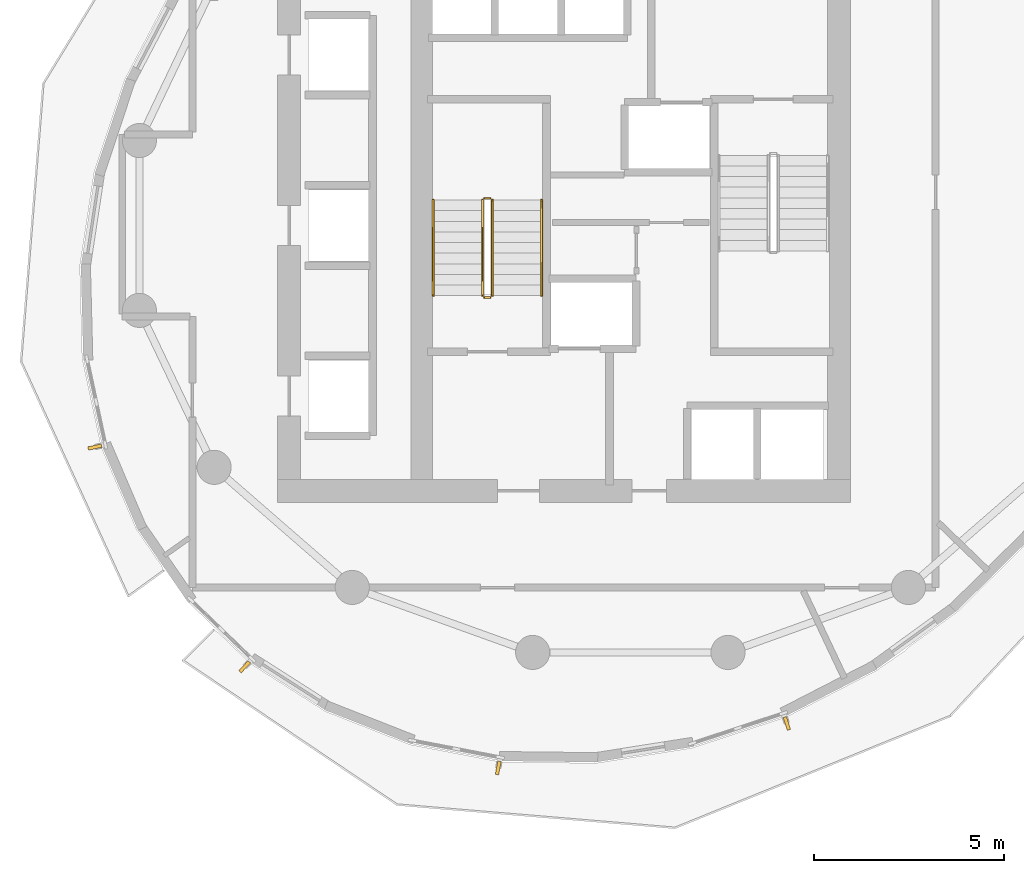
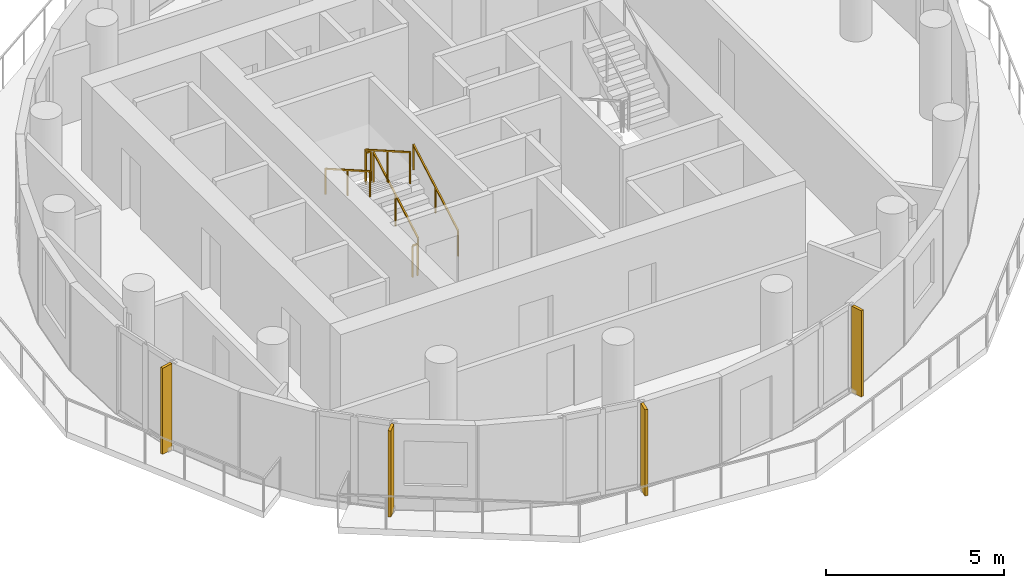
# One storey, part 6 of 9: 6 railings, 4 shading devices.
"""IFC4 building model written with IfcOpenShell, lengths in metres."""

from ifc_helpers import new_model, si_unit, direction, frame, origin, origin_2d, place, context, subcontext, project, spatial, rectangle, extrude, material, layer, layer_set, type_object, element, save


model = new_model("IFC4")

# Units and contexts
model_context = context("Model", 3, precision=1e-05, world=origin(), true_north=direction((0.0, 1.0)))
body_context = subcontext(model_context, "Body", "Model", "MODEL_VIEW")
ifc_project = project(units=[si_unit("LENGTHUNIT", "METRE"), si_unit("AREAUNIT", "SQUARE_METRE"), si_unit("VOLUMEUNIT", "CUBIC_METRE"), si_unit("PLANEANGLEUNIT", "RADIAN"), si_unit("MASSUNIT", "GRAM", prefix="KILO")], contexts=[model_context])

# Site, building, storey
site_placement = place(None, origin())
site = spatial("IfcSite", under=ifc_project, at=site_placement, CompositionType="ELEMENT")
building_placement = place(site_placement, origin())
building = spatial("IfcBuilding", under=site, at=building_placement, Name="Veldorim Arch Residences", CompositionType="ELEMENT")
storey_placement = place(building_placement, frame((0.0, 0.0, 163.0400390625)))
storey = spatial("IfcBuildingStorey", under=building, at=storey_placement, Name="L48", CompositionType="ELEMENT", Elevation=163.0400390625)

# Railings
ifc_material_1 = material(Name="Steel S355", Category="steel")
railing_type_1 = type_object("IfcRailingType", Name="Galvanised Steel Stair Safety Guardrail 1100", PredefinedType="GUARDRAIL", material=ifc_material_1)
railing_1_placement = place(storey_placement, frame((28.360107421875, 22.14990234375, 0.159912109375)))
element("IfcRailing", 1, at=railing_1_placement, inside=storey, type_object=railing_type_1, Name="L48 ST-1 stair guard 1", PredefinedType="GUARDRAIL", context=body_context, shape_type="SweptSolid", body=[
    extrude(rectangle(XDim=0.048095703125, YDim=0.048095703125, at=origin_2d()), frame((0.0, 0.0, 1.076171875), z_axis=(0.0, 0.868253494771, 0.496120820787), x_axis=(-1.0, 0.0, 0.0)), (0.0, 0.0, 1.0), 2.90234375),
    extrude(rectangle(XDim=0.0419921875, YDim=0.0419921875, at=origin_2d()), origin(), (0.0, 0.0, 1.0), 1.052001953125),
    extrude(rectangle(XDim=0.0419921875, YDim=0.0419921875, at=origin_2d()), frame((0.0, 1.260009765625, 0.719970703125)), (0.0, 0.0, 1.0), 1.052001953125),
    extrude(rectangle(XDim=0.0419921875, YDim=0.0419921875, at=origin_2d()), frame((0.0, 2.52001953125, 1.43994140625)), (0.0, 0.0, 1.0), 1.052001953125),
])
railing_2_placement = place(storey_placement, frame((28.31005859375, 24.719970703125, 1.599853515625)))
element("IfcRailing", 2, at=railing_2_placement, inside=storey, type_object=railing_type_1, Name="L48 ST-1 stair guard 2", PredefinedType="GUARDRAIL", context=body_context, shape_type="SweptSolid", body=[
    extrude(rectangle(XDim=0.048095703125, YDim=0.048095703125, at=origin_2d()), frame((0.0, 0.0, 1.076171875), z_axis=(-1.0, 0.0, 0.0), x_axis=(0.0, -1.0, 0.0)), (0.0, 0.0, 1.0), 0.16015625),
    extrude(rectangle(XDim=0.0419921875, YDim=0.0419921875, at=origin_2d()), origin(), (0.0, 0.0, 1.0), 1.052001953125),
    extrude(rectangle(XDim=0.0419921875, YDim=0.0419921875, at=origin_2d()), frame((-0.16015625, 0.0, 0.0)), (0.0, 0.0, 1.0), 1.052001953125),
])
railing_3_placement = place(storey_placement, frame((28.10009765625, 24.669921875, 1.760009765625)))
element("IfcRailing", 3, at=railing_3_placement, inside=storey, type_object=railing_type_1, Name="L48 ST-1 stair guard 3", PredefinedType="GUARDRAIL", context=body_context, shape_type="SweptSolid", body=[
    extrude(rectangle(XDim=0.048095703125, YDim=0.048095703125, at=origin_2d()), frame((0.0, 0.0, 1.076171875), z_axis=(0.0, -0.868253494771, 0.496120820787), x_axis=(1.0, 0.0, 0.0)), (0.0, 0.0, 1.0), 2.90234375),
    extrude(rectangle(XDim=0.0419921875, YDim=0.0419921875, at=origin_2d()), origin(), (0.0, 0.0, 1.0), 1.052001953125),
    extrude(rectangle(XDim=0.0419921875, YDim=0.0419921875, at=origin_2d()), frame((0.0, -1.260009765625, 0.719970703125)), (0.0, 0.0, 1.0), 1.052001953125),
    extrude(rectangle(XDim=0.0419921875, YDim=0.0419921875, at=origin_2d()), frame((0.0, -2.52001953125, 1.43994140625)), (0.0, 0.0, 1.0), 1.052001953125),
])
railing_4_placement = place(storey_placement, frame((28.31005859375, 22.10009765625, 0.0)))
element("IfcRailing", 4, at=railing_4_placement, inside=storey, type_object=railing_type_1, Name="L48 ST-1 stair guard 4", PredefinedType="GUARDRAIL", context=body_context, shape_type="SweptSolid", body=[
    extrude(rectangle(XDim=0.048095703125, YDim=0.048095703125, at=origin_2d()), frame((0.0, 0.0, 1.076171875), z_axis=(-1.0, 0.0, 0.0), x_axis=(0.0, -1.0, 0.0)), (0.0, 0.0, 1.0), 0.16015625),
    extrude(rectangle(XDim=0.0419921875, YDim=0.0419921875, at=origin_2d()), origin(), (0.0, 0.0, 1.0), 1.052001953125),
    extrude(rectangle(XDim=0.0419921875, YDim=0.0419921875, at=origin_2d()), frame((-0.16015625, 0.0, 0.0)), (0.0, 0.0, 1.0), 1.052001953125),
])
ifc_material_2 = material(Name="Stainless Steel", Category="steel")
railing_type_2 = type_object("IfcRailingType", Name="Tubular Steel Continuous Wall Handrail 900", PredefinedType="HANDRAIL", material=ifc_material_2)
railing_5_placement = place(storey_placement, frame((29.659912109375, 22.14990234375, 0.159912109375)))
element("IfcRailing", 5, at=railing_5_placement, inside=storey, type_object=railing_type_2, Name="L48 ST-1 stair handrail 1", PredefinedType="HANDRAIL", context=body_context, shape_type="SweptSolid", body=[
    extrude(rectangle(XDim=0.048095703125, YDim=0.048095703125, at=origin_2d()), frame((0.0, 0.0, 0.8759765625), z_axis=(0.0, 0.868253494771, 0.496120820787), x_axis=(-1.0, 0.0, 0.0)), (0.0, 0.0, 1.0), 2.90234375),
    extrude(rectangle(XDim=0.0419921875, YDim=0.0419921875, at=origin_2d()), origin(), (0.0, 0.0, 1.0), 0.851806640625),
    extrude(rectangle(XDim=0.0419921875, YDim=0.0419921875, at=origin_2d()), frame((0.0, 1.260009765625, 0.719970703125)), (0.0, 0.0, 1.0), 0.851806640625),
    extrude(rectangle(XDim=0.0419921875, YDim=0.0419921875, at=origin_2d()), frame((0.0, 2.52001953125, 1.43994140625)), (0.0, 0.0, 1.0), 0.851806640625),
])
railing_6_placement = place(storey_placement, frame((26.800048828125, 24.669921875, 1.760009765625)))
element("IfcRailing", 6, at=railing_6_placement, inside=storey, type_object=railing_type_2, Name="L48 ST-1 stair handrail 2", PredefinedType="HANDRAIL", context=body_context, shape_type="SweptSolid", body=[
    extrude(rectangle(XDim=0.048095703125, YDim=0.048095703125, at=origin_2d()), frame((0.0, 0.0, 0.8759765625), z_axis=(0.0, -0.868253494771, 0.496120820787), x_axis=(1.0, 0.0, 0.0)), (0.0, 0.0, 1.0), 2.90234375),
    extrude(rectangle(XDim=0.0419921875, YDim=0.0419921875, at=origin_2d()), origin(), (0.0, 0.0, 1.0), 0.851806640625),
    extrude(rectangle(XDim=0.0419921875, YDim=0.0419921875, at=origin_2d()), frame((0.0, -1.260009765625, 0.719970703125)), (0.0, 0.0, 1.0), 0.851806640625),
    extrude(rectangle(XDim=0.0419921875, YDim=0.0419921875, at=origin_2d()), frame((0.0, -2.52001953125, 1.43994140625)), (0.0, 0.0, 1.0), 0.851806640625),
])

# Shading devices
ifc_material_3 = material(Name="Terracotta Ceramic", Category="masonry")
ifc_layer = layer(ifc_material_3, 0.090087890625, Name="Vertical Extruded Terracotta Baguette Sun-Shading Fin")
ifc_layer_set = layer_set([ifc_layer], Name="Terracotta Ceramic")
shading_device_type = type_object("IfcShadingDeviceType", Name="Vertical Extruded Terracotta Baguette Sun-Shading Fin", PredefinedType="USERDEFINED", material=ifc_layer_set)
for number, where, z_axis, x_axis, name in (
    (7, (17.876953125, 18.156494140625, 0.0), (0.0, 0.0, 1.0), (-0.209789215079, 0.977746636525, 0.0), "L48 vertical terracotta sun-shading fin 16"),
    (8, (21.829345703125, 12.361572265625, 0.0), (0.0, 0.0, 1.0), (-0.720187948577, 0.693779012888, 0.0), "L48 vertical terracotta sun-shading fin 19"),
    (9, (28.51611328125, 9.6943359375, 0.0), (0.0, 0.0, 1.0), (-0.982189003456, 0.187895613278, 0.0), "L48 vertical terracotta sun-shading fin 22"),
    (10, (36.127197265625, 10.86865234375, 0.0), (0.0, 0.0, 1.0), (-0.949699126202, -0.313163806484, 0.0), "L48 vertical terracotta sun-shading fin 25"),
):
    element("IfcShadingDevice", number, at=place(storey_placement, frame(where, z_axis=z_axis, x_axis=x_axis)), inside=storey, type_object=shading_device_type, Name=name, ObjectType="FIN", PredefinedType="USERDEFINED", context=body_context, shape_type="SweptSolid", body=[
        extrude(rectangle(XDim=0.090087890625, YDim=0.360107421875, at=origin_2d()), origin(), (0.0, 0.0, 1.0), 2.9599609375),
    ])

save(model, "model.ifc")
